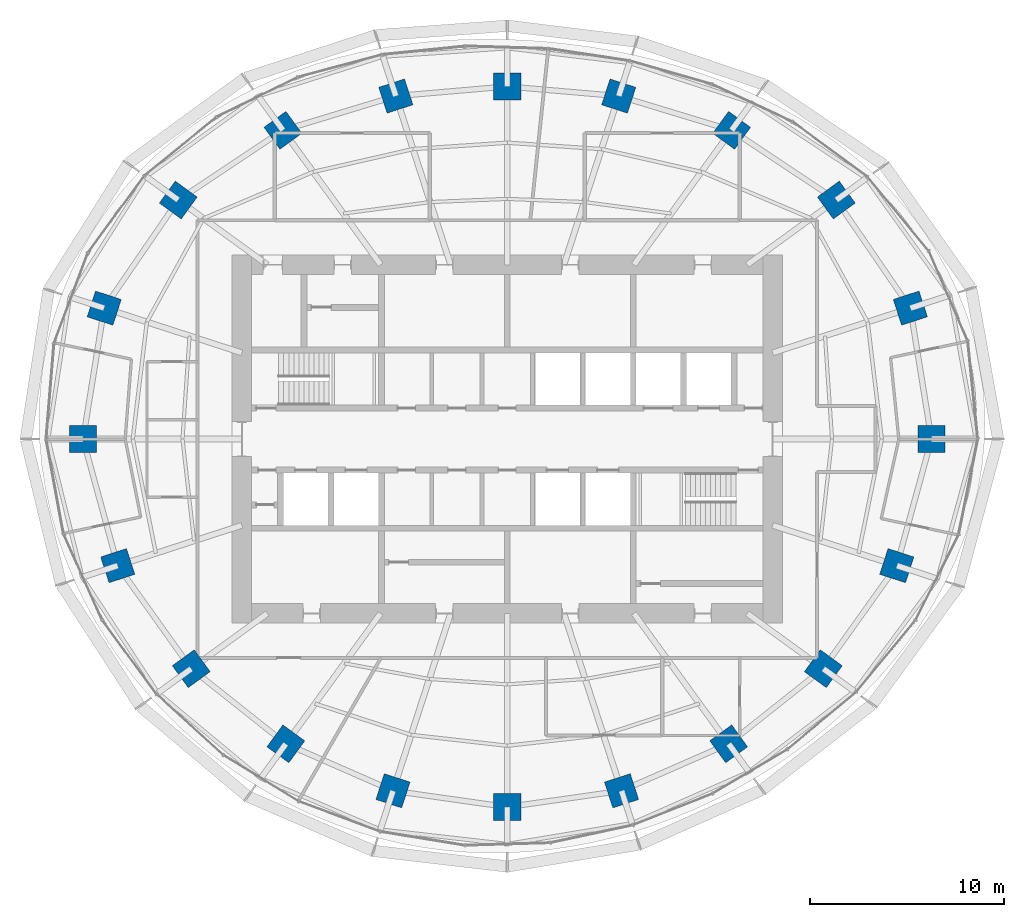
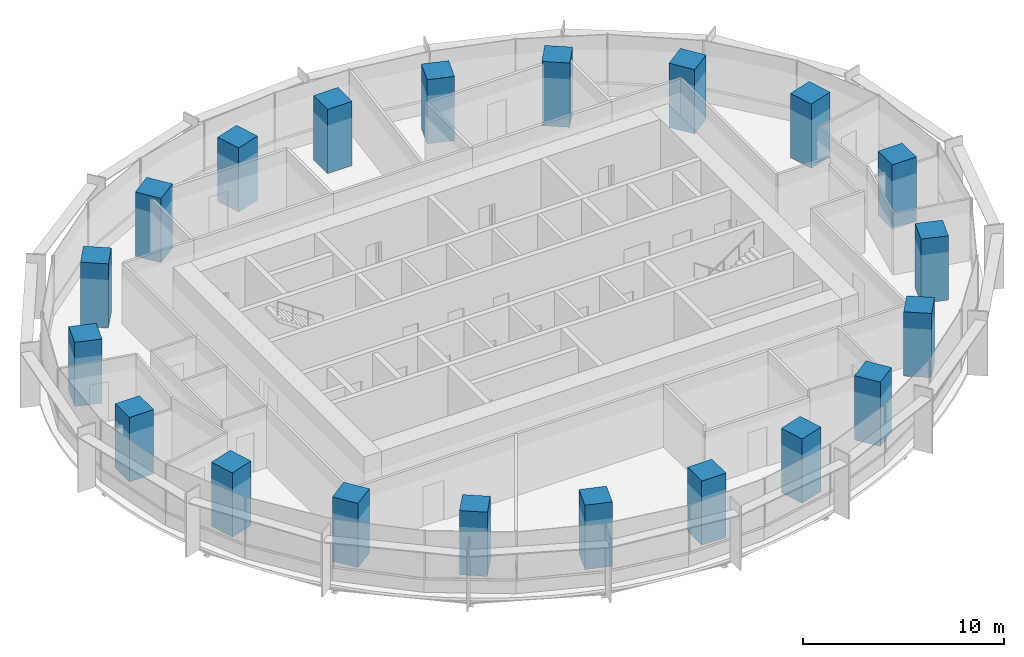
# One storey, part 1 of 14: 20 columns.
"""IFC4 building model written with IfcOpenShell, lengths in metres."""

from ifc_helpers import new_model, si_unit, direction, frame, origin, origin_2d, place, context, subcontext, project, spatial, rectangle, extrude, material, material_profile, profile_set, type_object, element, save


model = new_model("IFC4")

# Units and contexts
model_context = context("Model", 3, precision=1e-05, world=origin(), true_north=direction((0.0, 1.0)))
body_context = subcontext(model_context, "Body", "Model", "MODEL_VIEW")
ifc_project = project(units=[si_unit("LENGTHUNIT", "METRE"), si_unit("AREAUNIT", "SQUARE_METRE"), si_unit("VOLUMEUNIT", "CUBIC_METRE"), si_unit("PLANEANGLEUNIT", "RADIAN"), si_unit("MASSUNIT", "GRAM", prefix="KILO")], contexts=[model_context])

# Site, building, storey
site_placement = place(None, origin())
site = spatial("IfcSite", under=ifc_project, at=site_placement, CompositionType="ELEMENT")
building_placement = place(site_placement, origin())
building = spatial("IfcBuilding", under=site, at=building_placement, Name="Marramba Exchange Tower", CompositionType="ELEMENT")
storey_placement = place(building_placement, frame((0.0, 0.0, 176.0)))
storey = spatial("IfcBuildingStorey", under=building, at=storey_placement, Name="L42", CompositionType="ELEMENT", Elevation=176.0)

# Columns
ifc_material = material(Name="Concrete N50", Category="concrete")
ifc_material_profile = material_profile(ifc_material, rectangle(XDim=1.39990234375, YDim=1.39990234375, at=origin_2d()), Name="RC 1400x1400")
ifc_profile_set = profile_set([ifc_material_profile], Name="Concrete N50")
column_type = type_object("IfcColumnType", Name="Perimeter column RC 1400x1400 N50", PredefinedType="COLUMN", material=ifc_profile_set)
for number, where, z_axis, x_axis, name in (
    (1, (21.89990234375, 0.0, 0.0), (0.0, 0.0, 1.0), (1.0, 0.0, 0.0), "Column TC01 L42"),
    (2, (20.808349609375, 6.760986328125, 0.0), (0.0, 0.0, 1.0), (0.951056516295, 0.309016994375, 0.0), "Column TC02 L42"),
    (3, (16.98583984375, 12.3408203125, 0.0), (0.0, 0.0, 1.0), (0.809016994375, 0.587785252292, 0.0), "Column TC03 L42"),
    (4, (11.581298828125, 15.9404296875, 0.0), (0.0, 0.0, 1.0), (0.587785252292, 0.809016994375, 0.0), "Column TC04 L42"),
    (5, (5.75390625, 17.70849609375, 0.0), (0.0, 0.0, 1.0), (0.309016994375, 0.951056516295, 0.0), "Column TC05 L42"),
    (6, (0.0, 18.2041015625, 0.0), (0.0, 0.0, 1.0), (0.0, 1.0, 0.0), "Column TC06 L42"),
    (7, (-5.75390625, 17.70849609375, 0.0), (0.0, 0.0, 1.0), (-0.309016994375, 0.951056516295, 0.0), "Column TC07 L42"),
    (8, (-11.581298828125, 15.9404296875, 0.0), (0.0, 0.0, 1.0), (-0.587785252292, 0.809016994375, 0.0), "Column TC08 L42"),
    (9, (-16.98583984375, 12.3408203125, 0.0), (0.0, 0.0, 1.0), (-0.809016994375, 0.587785252292, 0.0), "Column TC09 L42"),
    (10, (-20.808349609375, 6.760986328125, 0.0), (0.0, 0.0, 1.0), (-0.951056516295, 0.309016994375, 0.0), "Column TC10 L42"),
    (11, (-21.89990234375, 0.0, 0.0), (0.0, 0.0, 1.0), (-1.0, 0.0, 0.0), "Column TC11 L42"),
    (12, (-20.109375, -6.533935546875, 0.0), (0.0, 0.0, 1.0), (-0.951056516295, -0.309016994375, 0.0), "Column TC12 L42"),
    (13, (-16.3154296875, -11.853759765625, 0.0), (0.0, 0.0, 1.0), (-0.809016994375, -0.587785252292, 0.0), "Column TC13 L42"),
    (14, (-11.430419921875, -15.732666015625, 0.0), (0.0, 0.0, 1.0), (-0.587785252292, -0.809016994375, 0.0), "Column TC14 L42"),
    (15, (-5.899658203125, -18.156982421875, 0.0), (0.0, 0.0, 1.0), (-0.309016994375, -0.951056516295, 0.0), "Column TC15 L42"),
    (16, (0.0, -18.99609375, 0.0), (0.0, 0.0, 1.0), (0.0, -1.0, 0.0), "Column TC16 L42"),
    (17, (5.899658203125, -18.156982421875, 0.0), (0.0, 0.0, 1.0), (0.309016994375, -0.951056516295, 0.0), "Column TC17 L42"),
    (18, (11.430419921875, -15.732666015625, 0.0), (0.0, 0.0, 1.0), (0.587785252292, -0.809016994375, 0.0), "Column TC18 L42"),
    (19, (16.3154296875, -11.853759765625, 0.0), (0.0, 0.0, 1.0), (0.809016994375, -0.587785252292, 0.0), "Column TC19 L42"),
    (20, (20.109375, -6.533935546875, 0.0), (0.0, 0.0, 1.0), (0.951056516295, -0.309016994375, 0.0), "Column TC20 L42"),
):
    element("IfcColumn", number, at=place(storey_placement, frame(where, z_axis=z_axis, x_axis=x_axis)), inside=storey, type_object=column_type, Name=name, PredefinedType="COLUMN", context=body_context, shape_type="SweptSolid", body=[
        extrude(rectangle(XDim=1.39990234375, YDim=1.39990234375, at=origin_2d()), origin(), (0.0, 0.0, 1.0), 3.89990234375),
    ])

save(model, "model.ifc")
